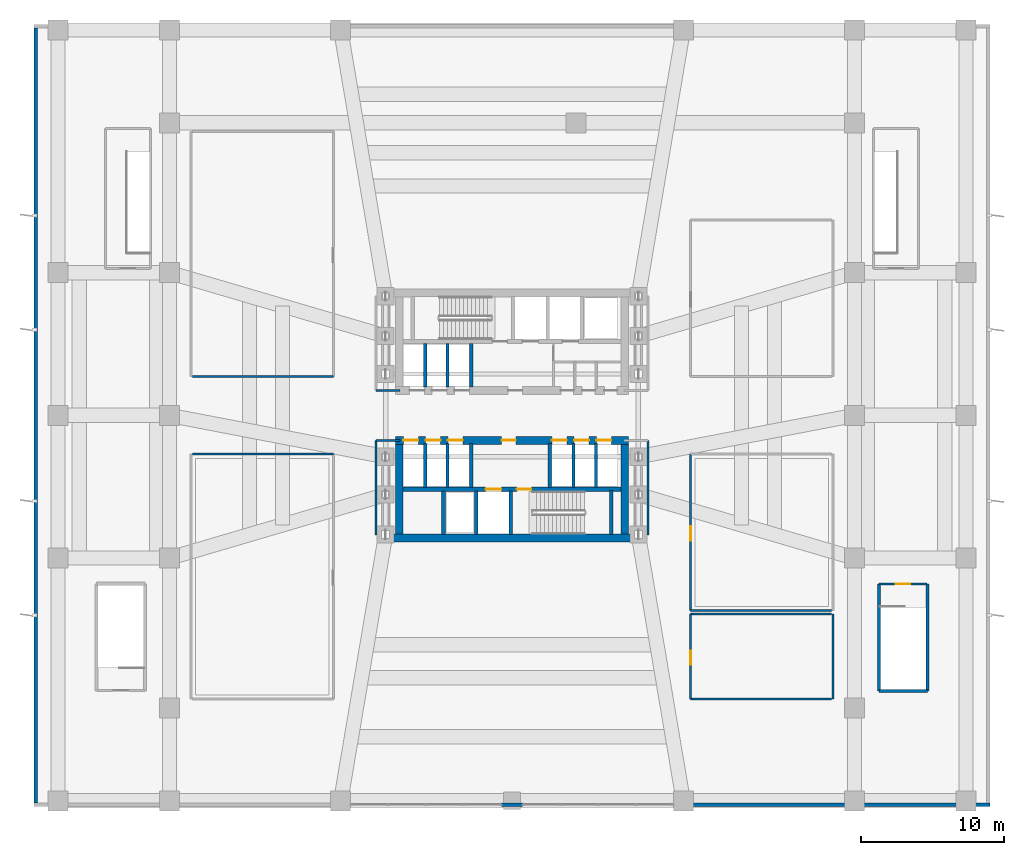
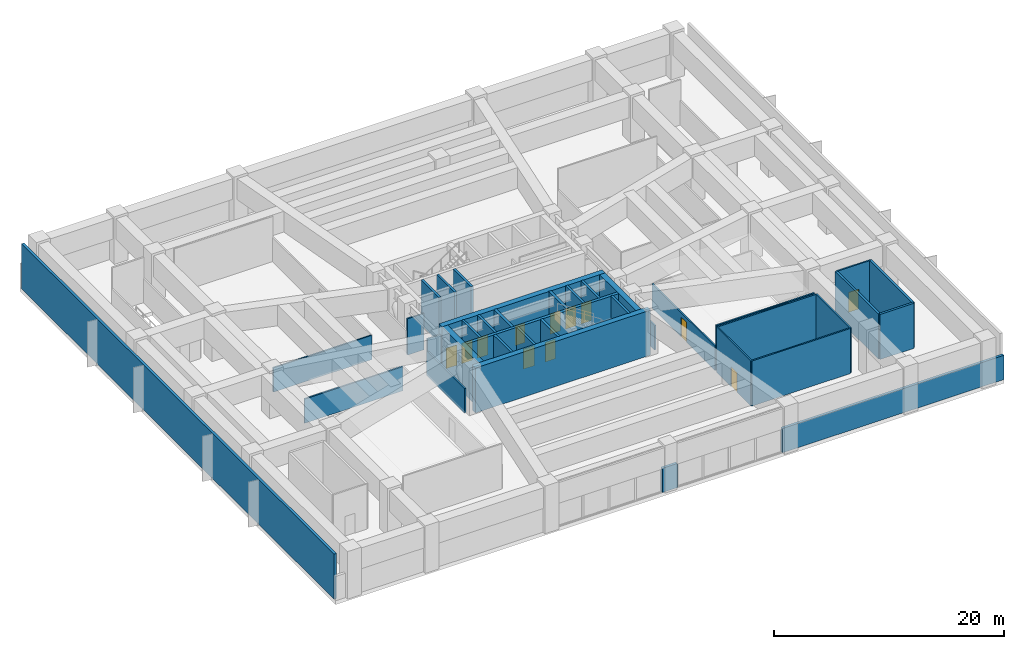
# One storey, part 8 of 14: 37 walls, 12 doors, 12 openings.
"""IFC4 building model written with IfcOpenShell, lengths in metres."""

from ifc_helpers import new_model, si_unit, direction, frame, frame_2d, origin, place, context, subcontext, project, spatial, rectangle, extrude, material, layer, layer_set, type_object, element, fill, save


model = new_model("IFC4")

# Units and contexts
model_context = context("Model", 3, precision=1e-05, world=origin(), true_north=direction((0.0, 1.0)))
body_context = subcontext(model_context, "Body", "Model", "MODEL_VIEW")
ifc_project = project(units=[si_unit("LENGTHUNIT", "METRE"), si_unit("AREAUNIT", "SQUARE_METRE"), si_unit("VOLUMEUNIT", "CUBIC_METRE"), si_unit("PLANEANGLEUNIT", "RADIAN"), si_unit("MASSUNIT", "GRAM", prefix="KILO")], contexts=[model_context])

# Site, building, storey
site_placement = place(None, origin())
site = spatial("IfcSite", under=ifc_project, at=site_placement, CompositionType="ELEMENT")
building_placement = place(site_placement, origin())
building = spatial("IfcBuilding", under=site, at=building_placement, Name="Solmarez Civic Tower", CompositionType="ELEMENT")
storey_placement = place(building_placement, frame((0.0, 0.0, 19.43994140625)))
storey = spatial("IfcBuildingStorey", under=building, at=storey_placement, Name="L04", CompositionType="ELEMENT", Elevation=19.43994140625)

# Wall
ifc_material_1 = material(Name="Concrete C60/75", Category="concrete")
ifc_layer_1 = layer(ifc_material_1, 0.550048828125)
ifc_layer_set_1 = layer_set([ifc_layer_1], Name="Concrete C60/75")
wall_type_1 = type_object("IfcWallType", Name="WALL-CORE-550", PredefinedType="SHEAR", material=ifc_layer_set_1)
wall_1_placement = place(storey_placement, frame((8.780029296875, -8.5849609375, 0.0), z_axis=(0.0, 0.0, 1.0), x_axis=(-1.0, 0.0, 0.0)))
element("IfcWall", 1, at=wall_1_placement, inside=storey, type_object=wall_type_1, Name="L04 Split-Core Structural Wall SCW-S-L04", PredefinedType="SHEAR", context=body_context, shape_type="SweptSolid", body=[
    extrude(rectangle(XDim=17.56005859375, YDim=0.550048828125, at=frame_2d((8.780029296875, 0.0))), origin(), (0.0, 0.0, 1.0), 4.780029296875),
])

# Wall, openings, doors
wall_2_placement = place(storey_placement, frame((-8.169921875, -1.75, 0.0), z_axis=(0.0, 0.0, 1.0), x_axis=(1.0, 0.0, 0.0)))
wall_2 = element("IfcWall", 2, at=wall_2_placement, inside=storey, type_object=wall_type_1, Name="L04 Split-Core Structural Wall SCW-N-L04", PredefinedType="SHEAR", context=body_context, shape_type="SweptSolid", body=[
    extrude(rectangle(XDim=16.33984375, YDim=0.550048828125, at=frame_2d((8.169921875, 0.0))), origin(), (0.0, 0.0, 1.0), 4.780029296875),
])
opening_1_placement = place(wall_2_placement, frame((7.449951171875, 0.0, 0.0)))
opening_1 = element("IfcOpeningElement", 3, at=opening_1_placement, cuts=wall_2, Name="Opening D-04", PredefinedType="OPENING", context=body_context, shape_type="SweptSolid", body=[
    extrude(rectangle(XDim=1.0, YDim=2.10009765625, at=frame_2d((0.5, 1.050048828125))), frame((0.0, 0.284912109375, 0.0), z_axis=(0.0, -1.0, 0.0), x_axis=(1.0, 0.0, 0.0)), (0.0, 0.0, 1.0), 0.570068359375),
])
opening_2_placement = place(wall_2_placement, frame((10.965087890625, 0.0, 0.0)))
opening_2 = element("IfcOpeningElement", 4, at=opening_2_placement, cuts=wall_2, Name="Opening LD-01", PredefinedType="OPENING", context=body_context, shape_type="SweptSolid", body=[
    extrude(rectangle(XDim=1.050048828125, YDim=2.14990234375, at=frame_2d((0.52490234375, 1.074951171875))), frame((0.0, 0.284912109375, 0.0), z_axis=(0.0, -1.0, 0.0), x_axis=(1.0, 0.0, 0.0)), (0.0, 0.0, 1.0), 0.570068359375),
])
opening_3_placement = place(wall_2_placement, frame((12.52490234375, 0.0, 0.0)))
opening_3 = element("IfcOpeningElement", 5, at=opening_3_placement, cuts=wall_2, Name="Opening LD-01", PredefinedType="OPENING", context=body_context, shape_type="SweptSolid", body=[
    extrude(rectangle(XDim=1.050048828125, YDim=2.14990234375, at=frame_2d((0.52490234375, 1.074951171875))), frame((0.0, 0.284912109375, 0.0), z_axis=(0.0, -1.0, 0.0), x_axis=(1.0, 0.0, 0.0)), (0.0, 0.0, 1.0), 0.570068359375),
])
opening_4_placement = place(wall_2_placement, frame((14.0849609375, 0.0, 0.0)))
opening_4 = element("IfcOpeningElement", 6, at=opening_4_placement, cuts=wall_2, Name="Opening LD-01", PredefinedType="OPENING", context=body_context, shape_type="SweptSolid", body=[
    extrude(rectangle(XDim=1.050048828125, YDim=2.14990234375, at=frame_2d((0.52490234375, 1.074951171875))), frame((0.0, 0.284912109375, 0.0), z_axis=(0.0, -1.0, 0.0), x_axis=(1.0, 0.0, 0.0)), (0.0, 0.0, 1.0), 0.570068359375),
])
opening_5_placement = place(wall_2_placement, frame((0.56494140625, 0.0, 0.0)))
opening_5 = element("IfcOpeningElement", 7, at=opening_5_placement, cuts=wall_2, Name="Opening LD-01", PredefinedType="OPENING", context=body_context, shape_type="SweptSolid", body=[
    extrude(rectangle(XDim=1.050048828125, YDim=2.14990234375, at=frame_2d((0.52490234375, 1.074951171875))), frame((0.0, 0.284912109375, 0.0), z_axis=(0.0, -1.0, 0.0), x_axis=(1.0, 0.0, 0.0)), (0.0, 0.0, 1.0), 0.570068359375),
])
opening_6_placement = place(wall_2_placement, frame((2.125, 0.0, 0.0)))
opening_6 = element("IfcOpeningElement", 8, at=opening_6_placement, cuts=wall_2, Name="Opening LD-01", PredefinedType="OPENING", context=body_context, shape_type="SweptSolid", body=[
    extrude(rectangle(XDim=1.050048828125, YDim=2.14990234375, at=frame_2d((0.52490234375, 1.074951171875))), frame((0.0, 0.284912109375, 0.0), z_axis=(0.0, -1.0, 0.0), x_axis=(1.0, 0.0, 0.0)), (0.0, 0.0, 1.0), 0.570068359375),
])
opening_7_placement = place(wall_2_placement, frame((3.68505859375, 0.0, 0.0)))
opening_7 = element("IfcOpeningElement", 9, at=opening_7_placement, cuts=wall_2, Name="Opening LD-01", PredefinedType="OPENING", context=body_context, shape_type="SweptSolid", body=[
    extrude(rectangle(XDim=1.050048828125, YDim=2.14990234375, at=frame_2d((0.52490234375, 1.074951171875))), frame((0.0, 0.284912109375, 0.0), z_axis=(0.0, -1.0, 0.0), x_axis=(1.0, 0.0, 0.0)), (0.0, 0.0, 1.0), 0.570068359375),
])
ifc_material_2 = material(Name="Steel-Faced Acoustic Fire Door", Category="steel")
door_type_1 = type_object("IfcDoorType", Name="DOOR-FD60-1000", OperationType="NOTDEFINED", PredefinedType="DOOR", material=ifc_material_2)
door_1_placement = place(opening_1_placement, origin())
door_1 = element("IfcDoor", 10, at=door_1_placement, inside=storey, type_object=door_type_1, Name="L04 South Firefighting Lobby Door", OperationType="SINGLE_SWING_RIGHT", OverallHeight=2.10009765625, OverallWidth=1.0, PredefinedType="DOOR", context=body_context, shape_type="SweptSolid", body=[
    extrude(rectangle(XDim=1.0, YDim=2.10009765625, at=frame_2d((0.5, 1.050048828125))), frame((0.0, 0.02490234375, 0.0), z_axis=(0.0, -1.0, 0.0), x_axis=(1.0, 0.0, 0.0)), (0.0, 0.0, 1.0), 0.050048828125),
])
fill(opening_1, door_1)
ifc_material_3 = material(Name="Bronze Passenger Lift Landing Sliding Door", Category="aluminium")
door_type_2 = type_object("IfcDoorType", Name="DOOR-LD-PAX-1050", OperationType="DOUBLE_DOOR_SLIDING", PredefinedType="DOOR", material=ifc_material_3)
door_2_placement = place(opening_2_placement, origin())
door_2 = element("IfcDoor", 11, at=door_2_placement, inside=storey, type_object=door_type_2, Name="L04 Low-Rise Lift Landing Door PL-L1", OperationType="DOUBLE_DOOR_SLIDING", OverallHeight=2.14990234375, OverallWidth=1.050048828125, PredefinedType="DOOR", context=body_context, shape_type="SweptSolid", body=[
    extrude(rectangle(XDim=1.050048828125, YDim=2.14990234375, at=frame_2d((0.52490234375, 1.074951171875))), frame((0.0, 0.02490234375, 0.0), z_axis=(0.0, -1.0, 0.0), x_axis=(1.0, 0.0, 0.0)), (0.0, 0.0, 1.0), 0.050048828125),
])
fill(opening_2, door_2)
door_3_placement = place(opening_3_placement, origin())
door_3 = element("IfcDoor", 12, at=door_3_placement, inside=storey, type_object=door_type_2, Name="L04 Low-Rise Lift Landing Door PL-L2", OperationType="DOUBLE_DOOR_SLIDING", OverallHeight=2.14990234375, OverallWidth=1.050048828125, PredefinedType="DOOR", context=body_context, shape_type="SweptSolid", body=[
    extrude(rectangle(XDim=1.050048828125, YDim=2.14990234375, at=frame_2d((0.52490234375, 1.074951171875))), frame((0.0, 0.02490234375, 0.0), z_axis=(0.0, -1.0, 0.0), x_axis=(1.0, 0.0, 0.0)), (0.0, 0.0, 1.0), 0.050048828125),
])
fill(opening_3, door_3)
door_4_placement = place(opening_4_placement, origin())
door_4 = element("IfcDoor", 13, at=door_4_placement, inside=storey, type_object=door_type_2, Name="L04 Low-Rise Lift Landing Door PL-L3", OperationType="DOUBLE_DOOR_SLIDING", OverallHeight=2.14990234375, OverallWidth=1.050048828125, PredefinedType="DOOR", context=body_context, shape_type="SweptSolid", body=[
    extrude(rectangle(XDim=1.050048828125, YDim=2.14990234375, at=frame_2d((0.52490234375, 1.074951171875))), frame((0.0, 0.02490234375, 0.0), z_axis=(0.0, -1.0, 0.0), x_axis=(1.0, 0.0, 0.0)), (0.0, 0.0, 1.0), 0.050048828125),
])
fill(opening_4, door_4)
door_5_placement = place(opening_5_placement, origin())
door_5 = element("IfcDoor", 14, at=door_5_placement, inside=storey, type_object=door_type_2, Name="L04 Mid-Rise Lift Landing Door PL-M1", OperationType="DOUBLE_DOOR_SLIDING", OverallHeight=2.14990234375, OverallWidth=1.050048828125, PredefinedType="DOOR", context=body_context, shape_type="SweptSolid", body=[
    extrude(rectangle(XDim=1.050048828125, YDim=2.14990234375, at=frame_2d((0.52490234375, 1.074951171875))), frame((0.0, 0.02490234375, 0.0), z_axis=(0.0, -1.0, 0.0), x_axis=(1.0, 0.0, 0.0)), (0.0, 0.0, 1.0), 0.050048828125),
])
fill(opening_5, door_5)
door_6_placement = place(opening_6_placement, origin())
door_6 = element("IfcDoor", 15, at=door_6_placement, inside=storey, type_object=door_type_2, Name="L04 Mid-Rise Lift Landing Door PL-M2", OperationType="DOUBLE_DOOR_SLIDING", OverallHeight=2.14990234375, OverallWidth=1.050048828125, PredefinedType="DOOR", context=body_context, shape_type="SweptSolid", body=[
    extrude(rectangle(XDim=1.050048828125, YDim=2.14990234375, at=frame_2d((0.52490234375, 1.074951171875))), frame((0.0, 0.02490234375, 0.0), z_axis=(0.0, -1.0, 0.0), x_axis=(1.0, 0.0, 0.0)), (0.0, 0.0, 1.0), 0.050048828125),
])
fill(opening_6, door_6)
door_7_placement = place(opening_7_placement, origin())
door_7 = element("IfcDoor", 16, at=door_7_placement, inside=storey, type_object=door_type_2, Name="L04 Mid-Rise Lift Landing Door PL-M3", OperationType="DOUBLE_DOOR_SLIDING", OverallHeight=2.14990234375, OverallWidth=1.050048828125, PredefinedType="DOOR", context=body_context, shape_type="SweptSolid", body=[
    extrude(rectangle(XDim=1.050048828125, YDim=2.14990234375, at=frame_2d((0.52490234375, 1.074951171875))), frame((0.0, 0.02490234375, 0.0), z_axis=(0.0, -1.0, 0.0), x_axis=(1.0, 0.0, 0.0)), (0.0, 0.0, 1.0), 0.050048828125),
])
fill(opening_7, door_7)

# Walls
for number, where, z_axis, x_axis, name in (
    (17, (-7.89501953125, -8.31005859375, 0.0), (0.0, 0.0, 1.0), (0.0, 1.0, 0.0), "L04 Split-Core Structural Wall SCW-W-L04"),
    (18, (7.89501953125, -2.02490234375, 0.0), (0.0, 0.0, 1.0), (0.0, -1.0, 0.0), "L04 Split-Core Structural Wall SCW-E-L04"),
):
    element("IfcWall", number, at=place(storey_placement, frame(where, z_axis=z_axis, x_axis=x_axis)), inside=storey, type_object=wall_type_1, Name=name, PredefinedType="SHEAR", context=body_context, shape_type="SweptSolid", body=[
        extrude(rectangle(XDim=6.28515625, YDim=0.550048828125, at=frame_2d((3.142578125, 0.0))), origin(), (0.0, 0.0, 1.0), 4.780029296875),
    ])
ifc_material_4 = material(Name="Precast concrete C40/50", Category="concrete")
ifc_layer_2 = layer(ifc_material_4, 0.260009765625)
ifc_layer_set_2 = layer_set([ifc_layer_2], Name="Precast concrete C40/50")
wall_type_2 = type_object("IfcWallType", Name="WALL-EXT-260", PredefinedType="SOLIDWALL", material=ifc_layer_set_2)
wall_3_placement = place(storey_placement, frame((-33.3701171875, -27.139892578125, 0.0), z_axis=(0.0, 0.0, 1.0), x_axis=(0.0, 1.0, 0.0)))
element("IfcWall", 19, at=wall_3_placement, inside=storey, type_object=wall_type_2, Name="L04 West Exterior Precast Wall", PredefinedType="SOLIDWALL", context=body_context, shape_type="SweptSolid", body=[
    extrude(rectangle(XDim=54.27978515625, YDim=0.260009765625, at=frame_2d((27.139892578125, 0.0))), origin(), (0.0, 0.0, 1.0), 4.780029296875),
])
wall_4_placement = place(storey_placement, frame((33.5, -27.27001953125, 0.0), z_axis=(0.0, 0.0, 1.0), x_axis=(-1.0, 0.0, 0.0)))
element("IfcWall", 20, at=wall_4_placement, inside=storey, type_object=wall_type_2, Name="L04 South-East Exterior Wall", PredefinedType="SOLIDWALL", context=body_context, shape_type="SweptSolid", body=[
    extrude(rectangle(XDim=22.199951171875, YDim=0.260009765625, at=frame_2d((11.10009765625, 0.0))), origin(), (0.0, 0.0, 1.0), 2.572021484375),
])
wall_5_placement = place(storey_placement, frame((0.75, -27.27001953125, 0.0), z_axis=(0.0, 0.0, 1.0), x_axis=(-1.0, 0.0, 0.0)))
element("IfcWall", 21, at=wall_5_placement, inside=storey, type_object=wall_type_2, Name="L04 South Pier Spandrel Wall", PredefinedType="SOLIDWALL", context=body_context, shape_type="SweptSolid", body=[
    extrude(rectangle(XDim=1.5, YDim=0.260009765625, at=frame_2d((0.75, 0.0))), origin(), (0.0, 0.0, 1.0), 2.572021484375),
])

# Wall, opening, door
ifc_material_5 = material(Name="Gypsum Board Acoustic Steel-Stud Partition", Category="steel")
ifc_layer_3 = layer(ifc_material_5, 0.14990234375)
ifc_layer_set_3 = layer_set([ifc_layer_3], Name="Gypsum Board Acoustic Steel-Stud Partition")
wall_type_3 = type_object("IfcWallType", Name="WALL-INT-FIRE-150", PredefinedType="PARTITIONING", material=ifc_layer_set_3)
wall_6_placement = place(storey_placement, frame((29.080078125, -11.820068359375, 0.0), z_axis=(0.0, 0.0, 1.0), x_axis=(-1.0, 0.0, 0.0)))
wall_6 = element("IfcWall", 22, at=wall_6_placement, inside=storey, type_object=wall_type_3, Name="L04 Podium Exit Stair STP2 Wall", PredefinedType="PARTITIONING", context=body_context, shape_type="SweptSolid", body=[
    extrude(rectangle(XDim=3.360107421875, YDim=0.14990234375, at=frame_2d((1.68017578125, 0.0))), origin(), (0.0, 0.0, 1.0), 4.780029296875),
])
opening_8_placement = place(wall_6_placement, frame((1.179931640625, 0.0, 0.0)))
opening_8 = element("IfcOpeningElement", 23, at=opening_8_placement, cuts=wall_6, Name="Opening D-05", PredefinedType="OPENING", context=body_context, shape_type="SweptSolid", body=[
    extrude(rectangle(XDim=1.0, YDim=2.10009765625, at=frame_2d((0.5, 1.050048828125))), frame((0.0, 0.0849609375, 0.0), z_axis=(0.0, -1.0, 0.0), x_axis=(1.0, 0.0, 0.0)), (0.0, 0.0, 1.0), 0.169921875),
])
ifc_material_6 = material(Name="Fire-Rated Stairwell Exit Door", Category="wood")
door_type_3 = type_object("IfcDoorType", Name="DOOR-FD90-1000", OperationType="NOTDEFINED", PredefinedType="DOOR", material=ifc_material_6)
door_8_placement = place(opening_8_placement, origin())
door_8 = element("IfcDoor", 24, at=door_8_placement, inside=storey, type_object=door_type_3, Name="L04 Podium Exit Stair STP2 Door", OperationType="SINGLE_SWING_LEFT", OverallHeight=2.10009765625, OverallWidth=1.0, PredefinedType="DOOR", context=body_context, shape_type="SweptSolid", body=[
    extrude(rectangle(XDim=1.0, YDim=2.10009765625, at=frame_2d((0.5, 1.050048828125))), frame((0.0, 0.02490234375, 0.0), z_axis=(0.0, -1.0, 0.0), x_axis=(1.0, 0.0, 0.0)), (0.0, 0.0, 1.0), 0.050048828125),
])
fill(opening_8, door_8)

# Walls
wall_7_placement = place(storey_placement, frame((-7.85009765625, 1.75, 0.0), z_axis=(0.0, 0.0, 1.0), x_axis=(-1.0, 0.0, 0.0)))
element("IfcWall", 25, at=wall_7_placement, inside=storey, type_object=wall_type_3, Name="L04 Interior Partition CHW-L04-WN3", PredefinedType="PARTITIONING", context=body_context, shape_type="SweptSolid", body=[
    extrude(rectangle(XDim=1.669921875, YDim=0.14990234375, at=frame_2d((0.8349609375, 0.0))), origin(), (0.0, 0.0, 1.0), 3.844970703125),
])
wall_8_placement = place(storey_placement, frame((-9.52001953125, -8.3798828125, 0.0), z_axis=(0.0, 0.0, 1.0), x_axis=(0.0, 1.0, 0.0)))
element("IfcWall", 26, at=wall_8_placement, inside=storey, type_object=wall_type_3, Name="L04 Interior Partition CHW-L04-WS1", PredefinedType="PARTITIONING", context=body_context, shape_type="SweptSolid", body=[
    extrude(rectangle(XDim=6.6298828125, YDim=0.14990234375, at=frame_2d((3.31494140625, 0.0))), origin(), (0.0, 0.0, 1.0), 2.572021484375),
])
wall_9_placement = place(storey_placement, frame((-7.85009765625, -1.75, 0.0), z_axis=(0.0, 0.0, 1.0), x_axis=(-1.0, 0.0, 0.0)))
element("IfcWall", 27, at=wall_9_placement, inside=storey, type_object=wall_type_3, Name="L04 Interior Partition CHW-L04-WS3", PredefinedType="PARTITIONING", context=body_context, shape_type="SweptSolid", body=[
    extrude(rectangle(XDim=1.669921875, YDim=0.14990234375, at=frame_2d((0.8349609375, 0.0))), origin(), (0.0, 0.0, 1.0), 3.844970703125),
])
wall_10_placement = place(storey_placement, frame((9.52001953125, -8.3798828125, 0.0), z_axis=(0.0, 0.0, 1.0), x_axis=(0.0, 1.0, 0.0)))
element("IfcWall", 28, at=wall_10_placement, inside=storey, type_object=wall_type_3, Name="L04 Interior Partition CHW-L04-ES1", PredefinedType="PARTITIONING", context=body_context, shape_type="SweptSolid", body=[
    extrude(rectangle(XDim=6.6298828125, YDim=0.14990234375, at=frame_2d((3.31494140625, 0.0))), origin(), (0.0, 0.0, 1.0), 2.572021484375),
])
wall_11_placement = place(storey_placement, frame((22.47998046875, -19.8798828125, 0.0), z_axis=(0.0, 0.0, 1.0), x_axis=(0.0, 1.0, 0.0)))
element("IfcWall", 29, at=wall_11_placement, inside=storey, type_object=wall_type_3, Name="L04 Interior Partition PT-L0X-L04-WC4-B", PredefinedType="PARTITIONING", context=body_context, shape_type="SweptSolid", body=[
    extrude(rectangle(XDim=5.9599609375, YDim=0.14990234375, at=frame_2d((2.97998046875, 0.0))), origin(), (0.0, 0.0, 1.0), 4.780029296875),
])
ifc_layer_4 = layer(ifc_material_5, 0.14501953125)
ifc_layer_set_4 = layer_set([ifc_layer_4], Name="Gypsum Board Acoustic Steel-Stud Partition")
wall_type_4 = type_object("IfcWallType", Name="WALL-INT-PART-150", PredefinedType="PARTITIONING", material=ifc_layer_set_4)
for number, where, z_axis, x_axis, name in (
    (30, (-22.39990234375, 2.719970703125, 0.0), (0.0, 0.0, 1.0), (1.0, 0.0, 0.0), "L04 Interior Partition PT-L0X-L04-NW1-S"),
    (31, (-22.39990234375, -2.719970703125, 0.0), (0.0, 0.0, 1.0), (1.0, 0.0, 0.0), "L04 Interior Partition PT-L0X-L04-SW1-N"),
):
    element("IfcWall", number, at=place(storey_placement, frame(where, z_axis=z_axis, x_axis=x_axis)), inside=storey, type_object=wall_type_4, Name=name, PredefinedType="PARTITIONING", context=body_context, shape_type="SweptSolid", body=[
        extrude(rectangle(XDim=9.8798828125, YDim=0.14501953125, at=frame_2d((4.93994140625, 0.0))), origin(), (0.0, 0.0, 1.0), 2.572021484375),
    ])

# Wall, opening, door
wall_12_placement = place(storey_placement, frame((12.52001953125, -13.679931640625, 0.0), z_axis=(0.0, 0.0, 1.0), x_axis=(0.0, 1.0, 0.0)))
wall_12 = element("IfcWall", 32, at=wall_12_placement, inside=storey, type_object=wall_type_4, Name="L04 Interior Partition PT-L0X-L04-SE1-F", PredefinedType="PARTITIONING", context=body_context, shape_type="SweptSolid", body=[
    extrude(rectangle(XDim=10.9599609375, YDim=0.14501953125, at=frame_2d((5.47998046875, 0.0))), origin(), (0.0, 0.0, 1.0), 2.572021484375),
])
opening_9_placement = place(wall_12_placement, frame((4.89990234375, 0.0, 0.0)))
opening_9 = element("IfcOpeningElement", 33, at=opening_9_placement, cuts=wall_12, Name="Opening D-04", PredefinedType="OPENING", context=body_context, shape_type="SweptSolid", body=[
    extrude(rectangle(XDim=1.0, YDim=2.10009765625, at=frame_2d((0.5, 1.050048828125))), frame((0.0, 0.08251953125, 0.0), z_axis=(0.0, -1.0, 0.0), x_axis=(1.0, 0.0, 0.0)), (0.0, 0.0, 1.0), 0.1650390625),
])
door_9_placement = place(opening_9_placement, origin())
door_9 = element("IfcDoor", 34, at=door_9_placement, inside=storey, type_object=door_type_1, Name="L04 Executive Shuttle Sitting Lounge Door", OperationType="SINGLE_SWING_RIGHT", OverallHeight=2.10009765625, OverallWidth=1.0, PredefinedType="DOOR", context=body_context, shape_type="SweptSolid", body=[
    extrude(rectangle(XDim=1.0, YDim=2.10009765625, at=frame_2d((0.5, 1.050048828125))), frame((0.0, 0.02490234375, 0.0), z_axis=(0.0, -1.0, 0.0), x_axis=(1.0, 0.0, 0.0)), (0.0, 0.0, 1.0), 0.050048828125),
])
fill(opening_9, door_9)

# Wall
wall_13_placement = place(storey_placement, frame((12.52001953125, -13.679931640625, 0.0), z_axis=(0.0, 0.0, 1.0), x_axis=(1.0, 0.0, 0.0)))
element("IfcWall", 35, at=wall_13_placement, inside=storey, type_object=wall_type_4, Name="L04 Interior Partition PT-L0X-L04-SE1-S", PredefinedType="PARTITIONING", context=body_context, shape_type="SweptSolid", body=[
    extrude(rectangle(XDim=9.8798828125, YDim=0.14501953125, at=frame_2d((4.93994140625, 0.0))), origin(), (0.0, 0.0, 1.0), 4.780029296875),
])

# Wall, opening, door
wall_14_placement = place(storey_placement, frame((12.52001953125, -19.8798828125, 0.0), z_axis=(0.0, 0.0, 1.0), x_axis=(0.0, 1.0, 0.0)))
wall_14 = element("IfcWall", 36, at=wall_14_placement, inside=storey, type_object=wall_type_4, Name="L04 Interior Partition PT-L0X-L04-WC4-F", PredefinedType="PARTITIONING", context=body_context, shape_type="SweptSolid", body=[
    extrude(rectangle(XDim=5.9599609375, YDim=0.14501953125, at=frame_2d((2.97998046875, 0.0))), origin(), (0.0, 0.0, 1.0), 4.780029296875),
])
opening_10_placement = place(wall_14_placement, frame((2.39990234375, 0.0, 0.0)))
opening_10 = element("IfcOpeningElement", 37, at=opening_10_placement, cuts=wall_14, Name="Opening D-04", PredefinedType="OPENING", context=body_context, shape_type="SweptSolid", body=[
    extrude(rectangle(XDim=1.0, YDim=2.10009765625, at=frame_2d((0.5, 1.050048828125))), frame((0.0, 0.08251953125, 0.0), z_axis=(0.0, -1.0, 0.0), x_axis=(1.0, 0.0, 0.0)), (0.0, 0.0, 1.0), 0.1650390625),
])
door_10_placement = place(opening_10_placement, origin())
door_10 = element("IfcDoor", 38, at=door_10_placement, inside=storey, type_object=door_type_1, Name="L04 Concourse Accessible Restrooms Door", OperationType="SINGLE_SWING_RIGHT", OverallHeight=2.10009765625, OverallWidth=1.0, PredefinedType="DOOR", context=body_context, shape_type="SweptSolid", body=[
    extrude(rectangle(XDim=1.0, YDim=2.10009765625, at=frame_2d((0.5, 1.050048828125))), frame((0.0, 0.02490234375, 0.0), z_axis=(0.0, -1.0, 0.0), x_axis=(1.0, 0.0, 0.0)), (0.0, 0.0, 1.0), 0.050048828125),
])
fill(opening_10, door_10)

# Walls
for number, where, z_axis, x_axis, name in (
    (39, (12.52001953125, -19.8798828125, 0.0), (0.0, 0.0, 1.0), (1.0, 0.0, 0.0), "L04 Interior Partition PT-L0X-L04-WC4-S"),
    (40, (12.52001953125, -13.919921875, 0.0), (0.0, 0.0, 1.0), (1.0, 0.0, 0.0), "L04 Interior Partition PT-L0X-L04-WC4-N"),
):
    element("IfcWall", number, at=place(storey_placement, frame(where, z_axis=z_axis, x_axis=x_axis)), inside=storey, type_object=wall_type_4, Name=name, PredefinedType="PARTITIONING", context=body_context, shape_type="SweptSolid", body=[
        extrude(rectangle(XDim=9.8798828125, YDim=0.14501953125, at=frame_2d((4.93994140625, 0.0))), origin(), (0.0, 0.0, 1.0), 4.780029296875),
    ])

# Wall, openings, doors
ifc_material_7 = material(Name="Concrete C50/60", Category="concrete")
ifc_layer_5 = layer(ifc_material_7, 0.300048828125)
ifc_layer_set_5 = layer_set([ifc_layer_5], Name="Concrete C50/60")
wall_type_5 = type_object("IfcWallType", Name="WALL-STR-300", PredefinedType="SOLIDWALL", material=ifc_layer_set_5)
wall_15_placement = place(storey_placement, frame((-7.6201171875, -5.179931640625, 0.0), z_axis=(0.0, 0.0, 1.0), x_axis=(1.0, 0.0, 0.0)))
wall_15 = element("IfcWall", 41, at=wall_15_placement, inside=storey, type_object=wall_type_5, Name="L04 Split-Core Structural Wall SCW-M-L04", PredefinedType="SOLIDWALL", context=body_context, shape_type="SweptSolid", body=[
    extrude(rectangle(XDim=15.240234375, YDim=0.300048828125, at=frame_2d((7.6201171875, 0.0))), origin(), (0.0, 0.0, 1.0), 4.780029296875),
])
opening_11_placement = place(wall_15_placement, frame((5.77001953125, 0.0, 0.0)))
opening_11 = element("IfcOpeningElement", 42, at=opening_11_placement, cuts=wall_15, Name="Opening LD-02", PredefinedType="OPENING", context=body_context, shape_type="SweptSolid", body=[
    extrude(rectangle(XDim=1.10009765625, YDim=2.14990234375, at=frame_2d((0.550048828125, 1.074951171875))), frame((0.0, 0.159912109375, 0.0), z_axis=(0.0, -1.0, 0.0), x_axis=(1.0, 0.0, 0.0)), (0.0, 0.0, 1.0), 0.320068359375),
])
opening_12_placement = place(wall_15_placement, frame((7.969970703125, 0.0, 0.0)))
opening_12 = element("IfcOpeningElement", 43, at=opening_12_placement, cuts=wall_15, Name="Opening D-05", PredefinedType="OPENING", context=body_context, shape_type="SweptSolid", body=[
    extrude(rectangle(XDim=1.0, YDim=2.10009765625, at=frame_2d((0.5, 1.050048828125))), frame((0.0, 0.159912109375, 0.0), z_axis=(0.0, -1.0, 0.0), x_axis=(1.0, 0.0, 0.0)), (0.0, 0.0, 1.0), 0.320068359375),
])
door_11_placement = place(opening_12_placement, origin())
door_11 = element("IfcDoor", 44, at=door_11_placement, inside=storey, type_object=door_type_3, Name="L04 South Exit Stair Door ST-2", OperationType="SINGLE_SWING_RIGHT", OverallHeight=2.10009765625, OverallWidth=1.0, PredefinedType="DOOR", context=body_context, shape_type="SweptSolid", body=[
    extrude(rectangle(XDim=1.0, YDim=2.10009765625, at=frame_2d((0.5, 1.050048828125))), frame((0.0, 0.02490234375, 0.0), z_axis=(0.0, -1.0, 0.0), x_axis=(1.0, 0.0, 0.0)), (0.0, 0.0, 1.0), 0.050048828125),
])
fill(opening_12, door_11)
ifc_material_8 = material(Name="Stainless Firefighting Lift Landing Sliding Door", Category="aluminium")
door_type_4 = type_object("IfcDoorType", Name="DOOR-LD-FF-1100", OperationType="DOUBLE_DOOR_SLIDING", PredefinedType="DOOR", material=ifc_material_8)
door_12_placement = place(opening_11_placement, origin())
door_12 = element("IfcDoor", 45, at=door_12_placement, inside=storey, type_object=door_type_4, Name="L04 Firefighting Lift Landing Door FFL-2", OperationType="DOUBLE_DOOR_SLIDING", OverallHeight=2.14990234375, OverallWidth=1.10009765625, PredefinedType="DOOR", context=body_context, shape_type="SweptSolid", body=[
    extrude(rectangle(XDim=1.10009765625, YDim=2.14990234375, at=frame_2d((0.550048828125, 1.074951171875))), frame((0.0, 0.02490234375, 0.0), z_axis=(0.0, -1.0, 0.0), x_axis=(1.0, 0.0, 0.0)), (0.0, 0.0, 1.0), 0.050048828125),
])
fill(opening_11, door_12)

# Walls
wall_16_placement = place(storey_placement, frame((6.949951171875, -8.340087890625, 0.0), z_axis=(0.0, 0.0, 1.0), x_axis=(0.0, 1.0, 0.0)))
element("IfcWall", 46, at=wall_16_placement, inside=storey, type_object=wall_type_5, Name="L04 Split-Core Structural Wall SHW-SE-L04", PredefinedType="SOLIDWALL", context=body_context, shape_type="SweptSolid", body=[
    extrude(rectangle(XDim=3.06005859375, YDim=0.219970703125, at=frame_2d((1.530029296875, 0.0))), origin(), (0.0, 0.0, 1.0), 4.780029296875),
])
wall_17_placement = place(storey_placement, frame((-2.85009765625, 1.97998046875, 0.0), z_axis=(0.0, 0.0, 1.0), x_axis=(0.0, 1.0, 0.0)))
element("IfcWall", 47, at=wall_17_placement, inside=storey, type_object=wall_type_5, Name="L04 Split-Core Structural Wall SHW-NL1-L04", PredefinedType="SOLIDWALL", context=body_context, shape_type="SweptSolid", body=[
    extrude(rectangle(XDim=3.070068359375, YDim=0.25, at=frame_2d((1.53515625, 0.0))), origin(), (0.0, 0.0, 1.0), 4.780029296875),
])
for number, where, z_axis, x_axis, name in (
    (48, (-0.10009765625, -8.340087890625, 0.0), (0.0, 0.0, 1.0), (0.0, 1.0, 0.0), "L04 Split-Core Structural Wall SHW-S1-L04"),
    (49, (-2.5, -8.340087890625, 0.0), (0.0, 0.0, 1.0), (0.0, 1.0, 0.0), "L04 Split-Core Structural Wall SHW-S2-L04"),
    (50, (-4.800048828125, -8.340087890625, 0.0), (0.0, 0.0, 1.0), (0.0, 1.0, 0.0), "L04 Split-Core Structural Wall SHW-S3-L04"),
):
    element("IfcWall", number, at=place(storey_placement, frame(where, z_axis=z_axis, x_axis=x_axis)), inside=storey, type_object=wall_type_5, Name=name, PredefinedType="SOLIDWALL", context=body_context, shape_type="SweptSolid", body=[
        extrude(rectangle(XDim=3.0400390625, YDim=0.25, at=frame_2d((1.52001953125, 0.0))), origin(), (0.0, 0.0, 1.0), 4.780029296875),
    ])
for number, where, z_axis, x_axis, name in (
    (51, (-2.85009765625, -5.050048828125, 0.0), (0.0, 0.0, 1.0), (0.0, 1.0, 0.0), "L04 Split-Core Structural Wall SHW-SL1-L04"),
    (52, (2.64990234375, -5.050048828125, 0.0), (0.0, 0.0, 1.0), (0.0, 1.0, 0.0), "L04 Split-Core Structural Wall SHW-SL2-L04"),
):
    element("IfcWall", number, at=place(storey_placement, frame(where, z_axis=z_axis, x_axis=x_axis)), inside=storey, type_object=wall_type_5, Name=name, PredefinedType="SOLIDWALL", context=body_context, shape_type="SweptSolid", body=[
        extrude(rectangle(XDim=3.070068359375, YDim=0.25, at=frame_2d((1.53515625, 0.0))), origin(), (0.0, 0.0, 1.0), 4.780029296875),
    ])
for number, where, z_axis, x_axis, name in (
    (53, (-6.080078125, 1.97998046875, 0.0), (0.0, 0.0, 1.0), (0.0, 1.0, 0.0), "L04 Split-Core Structural Wall SHW-PLH-L04-1"),
    (54, (-4.52001953125, 1.97998046875, 0.0), (0.0, 0.0, 1.0), (0.0, 1.0, 0.0), "L04 Split-Core Structural Wall SHW-PLH-L04-2"),
    (55, (4.320068359375, -5.050048828125, 0.0), (0.0, 0.0, 1.0), (0.0, 1.0, 0.0), "L04 Split-Core Structural Wall SHW-PLL-L04-1"),
    (56, (5.8798828125, -5.050048828125, 0.0), (0.0, 0.0, 1.0), (0.0, 1.0, 0.0), "L04 Split-Core Structural Wall SHW-PLL-L04-2"),
    (57, (-6.080078125, -5.050048828125, 0.0), (0.0, 0.0, 1.0), (0.0, 1.0, 0.0), "L04 Split-Core Structural Wall SHW-PLM-L04-1"),
    (58, (-4.52001953125, -5.050048828125, 0.0), (0.0, 0.0, 1.0), (0.0, 1.0, 0.0), "L04 Split-Core Structural Wall SHW-PLM-L04-2"),
):
    element("IfcWall", number, at=place(storey_placement, frame(where, z_axis=z_axis, x_axis=x_axis)), inside=storey, type_object=wall_type_5, Name=name, PredefinedType="SOLIDWALL", context=body_context, shape_type="SweptSolid", body=[
        extrude(rectangle(XDim=3.070068359375, YDim=0.219970703125, at=frame_2d((1.53515625, 0.0))), origin(), (0.0, 0.0, 1.0), 4.780029296875),
    ])
for number, where, z_axis, x_axis, name in (
    (59, (25.699951171875, -19.300048828125, 0.0), (0.0, 0.0, 1.0), (0.0, 1.0, 0.0), "L04 Podium Stair Structural Wall STP2-W"),
    (60, (29.10009765625, -19.300048828125, 0.0), (0.0, 0.0, 1.0), (0.0, 1.0, 0.0), "L04 Podium Stair Structural Wall STP2-E"),
):
    element("IfcWall", number, at=place(storey_placement, frame(where, z_axis=z_axis, x_axis=x_axis)), inside=storey, type_object=wall_type_5, Name=name, PredefinedType="SOLIDWALL", context=body_context, shape_type="SweptSolid", body=[
        extrude(rectangle(XDim=7.5, YDim=0.219970703125, at=frame_2d((3.75, 0.0))), origin(), (0.0, 0.0, 1.0), 4.780029296875),
    ])
wall_18_placement = place(storey_placement, frame((25.699951171875, -19.300048828125, 0.0), z_axis=(0.0, 0.0, 1.0), x_axis=(1.0, 0.0, 0.0)))
element("IfcWall", 61, at=wall_18_placement, inside=storey, type_object=wall_type_5, Name="L04 Podium Stair Structural Wall STP2-S", PredefinedType="SOLIDWALL", context=body_context, shape_type="SweptSolid", body=[
    extrude(rectangle(XDim=3.400146484375, YDim=0.219970703125, at=frame_2d((1.7001953125, 0.0))), origin(), (0.0, 0.0, 1.0), 4.780029296875),
])

save(model, "model.ifc")
